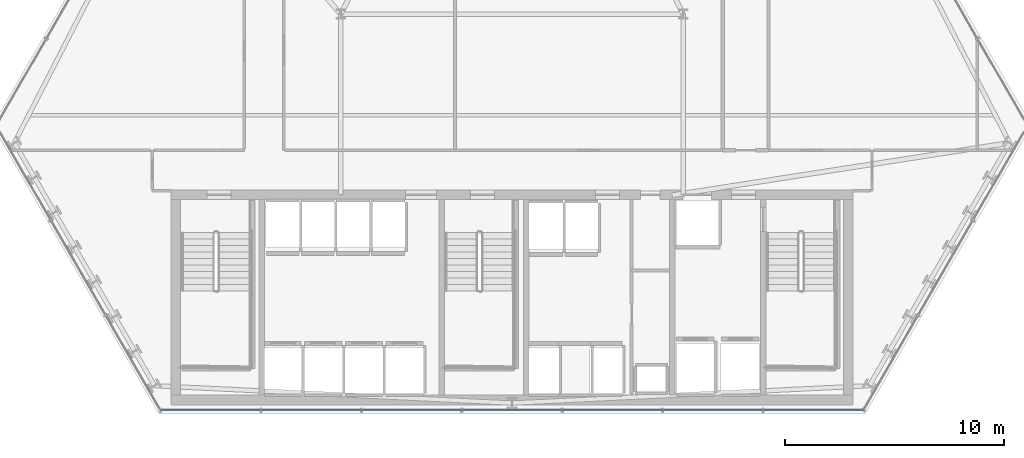
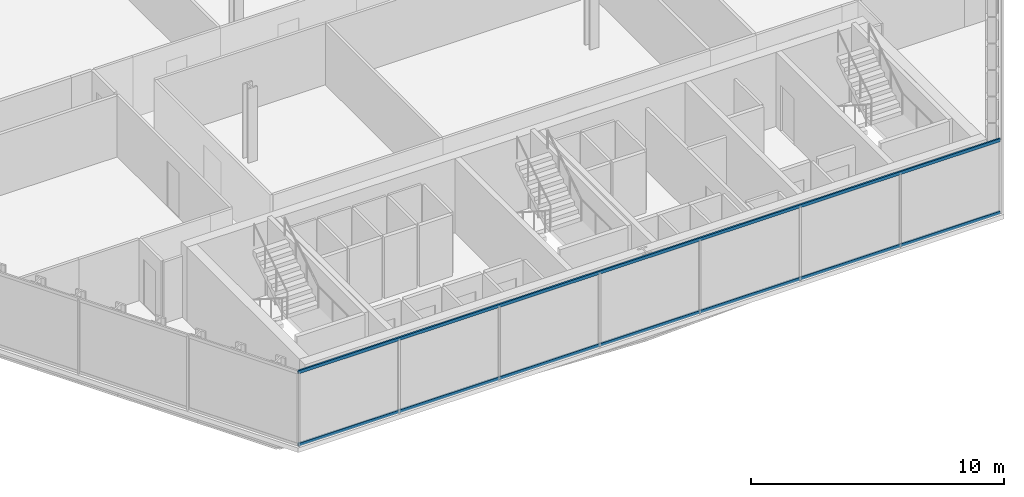
# One storey, part 8 of 32: 2 members, 1 element without a shape of its own.
"""IFC4 building model written with IfcOpenShell, lengths in metres."""

from ifc_helpers import new_model, si_unit, direction, frame, origin, origin_2d, place, context, subcontext, project, spatial, hollow_rectangle, extrude, material, layer, layer_set, material_profile, profile_set, type_object, element, aggregate, save


model = new_model("IFC4")

# Units and contexts
model_context = context("Model", 3, precision=1e-05, world=origin(), true_north=direction((0.0, 1.0)))
body_context = subcontext(model_context, "Body", "Model", "MODEL_VIEW")
ifc_project = project(units=[si_unit("LENGTHUNIT", "METRE"), si_unit("AREAUNIT", "SQUARE_METRE"), si_unit("VOLUMEUNIT", "CUBIC_METRE"), si_unit("PLANEANGLEUNIT", "RADIAN"), si_unit("MASSUNIT", "GRAM", prefix="KILO")], contexts=[model_context])

# Site, building, storey
site_placement = place(None, origin())
site = spatial("IfcSite", under=ifc_project, at=site_placement, CompositionType="ELEMENT")
building_placement = place(site_placement, origin())
building = spatial("IfcBuilding", under=site, at=building_placement, Name="Ndaravel Arena Tower", CompositionType="ELEMENT")
storey_placement = place(building_placement, frame((0.0, 0.0, 74.0)))
storey = spatial("IfcBuildingStorey", under=building, at=storey_placement, Name="L16", CompositionType="ELEMENT", Elevation=74.0)

# Curtain wall, members
ifc_material_1 = material(Name="Aluminium", Category="aluminium")
ifc_layer = layer(ifc_material_1, 0.179931640625)
ifc_layer_set = layer_set([ifc_layer], Name="Aluminium")
curtain_wall_type = type_object("IfcCurtainWallType", Name="CW-SYS-03", PredefinedType="NOTDEFINED", material=ifc_layer_set)
curtain_wall_placement = place(storey_placement, origin())
curtain_wall = element("IfcCurtainWall", 1, at=curtain_wall_placement, inside=storey, type_object=curtain_wall_type, Name="L16 Faceted Crystal Curtain Wall CW-L16-E01", PredefinedType="NOTDEFINED")
ifc_material_2 = material(Name="Aluminium", Category="aluminium")
ifc_material_profile = material_profile(ifc_material_2, hollow_rectangle(XDim=0.074951171875, YDim=0.14990234375, WallThickness=0.00390625, at=origin_2d()), Name="CW TRANSOM 75x150x4")
ifc_profile_set = profile_set([ifc_material_profile], Name="Aluminium")
member_type = type_object("IfcMemberType", Name="MEM-CW-TRN150", PredefinedType="USERDEFINED", material=ifc_profile_set)
member_1_placement = place(storey_placement, frame((25.985107421875, 5.159912109375, 0.0400390625), z_axis=(1.0, 0.0, 0.0), x_axis=(0.0, 1.0, 0.0)))
member_1 = element("IfcMember", 2, at=member_1_placement, type_object=member_type, Name="CW-L16-E01 Transom 01", ObjectType="TRANSOM", PredefinedType="USERDEFINED", context=body_context, shape_type="SweptSolid", body=[
    extrude(hollow_rectangle(XDim=0.074951171875, YDim=0.14990234375, WallThickness=0.00390625, at=origin_2d()), origin(), (0.0, 0.0, 1.0), 32.02978515625),
])
member_2_placement = place(storey_placement, frame((25.985107421875, 5.159912109375, 3.5400390625), z_axis=(1.0, 0.0, 0.0), x_axis=(0.0, 1.0, 0.0)))
member_2 = element("IfcMember", 3, at=member_2_placement, type_object=member_type, Name="CW-L16-E01 Transom 02", ObjectType="TRANSOM", PredefinedType="USERDEFINED", context=body_context, shape_type="SweptSolid", body=[
    extrude(hollow_rectangle(XDim=0.074951171875, YDim=0.14990234375, WallThickness=0.00390625, at=origin_2d()), origin(), (0.0, 0.0, 1.0), 32.02978515625),
])
aggregate(curtain_wall, [member_1, member_2])

save(model, "model.ifc")
